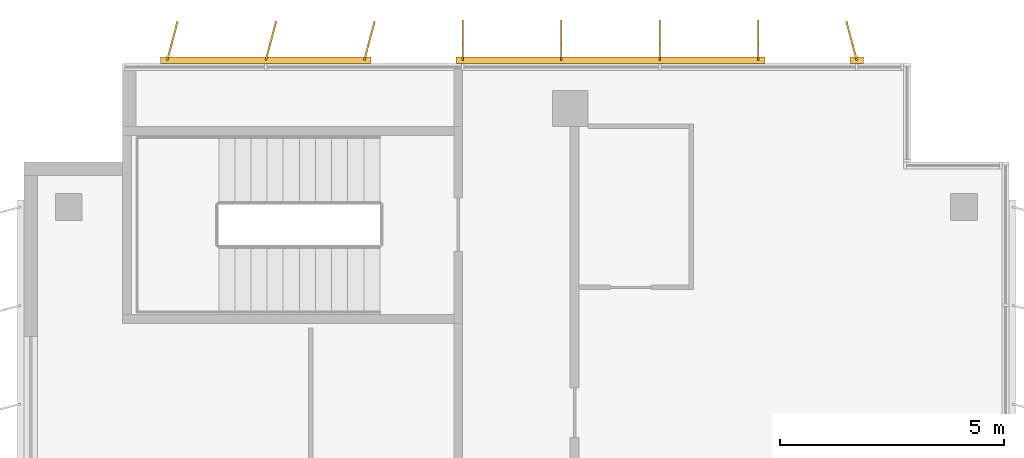
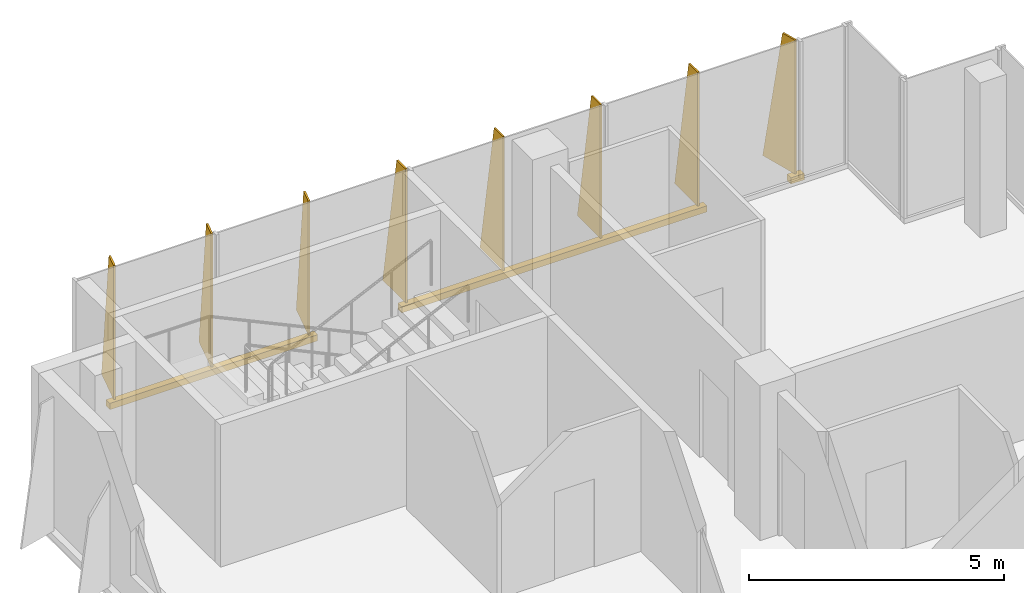
# One storey, part 15 of 15: 3 shading devices.
"""IFC4 building model written with IfcOpenShell, lengths in metres."""

import ifcopenshell
import ifcopenshell.guid

model = None  # the IFC model being written
_history = None  # IfcOwnerHistory: only IFC2X3 demands one
_inside = {}  # id of a spatial element -> (the spatial element, [elements in it])
_under = {}  # id of a project, library or spatial element -> (it, [spatial elements below it])
_declared = {}  # id of a project -> (the project, [libraries it declares])
_typed = {}  # id of a type object -> (the type object, [elements of that type])
_made_of = {}  # id of a material, layer set ... -> (it, [elements and type objects made of it])


def new_model(schema):
    """Start an empty IFC model of exactly this schema.

    Asked for "IFC4X3", IfcOpenShell would pick the latest addendum, in which some entities
    have other attributes; the version numbers below select the first issue.
    IFC2X3 requires an IfcOwnerHistory on every rooted entity: one is made here for all.
    """
    global model, _history
    if schema == "IFC4X3":
        model = ifcopenshell.file(schema_version=(4, 3, 0, 0))
    else:
        model = ifcopenshell.file(schema=schema)
    _inside.clear()
    _under.clear()
    _declared.clear()
    _typed.clear()
    _made_of.clear()
    _history = None
    if model.schema == "IFC2X3":
        org = make("IfcOrganization", Name="unknown")
        user = make(
            "IfcPersonAndOrganization",
            ThePerson=make("IfcPerson", FamilyName="unknown"),
            TheOrganization=org,
        )
        app = make(
            "IfcApplication",
            ApplicationDeveloper=org,
            Version="unknown",
            ApplicationFullName="unknown",
            ApplicationIdentifier="unknown",
        )
        _history = make(
            "IfcOwnerHistory",
            OwningUser=user,
            OwningApplication=app,
            ChangeAction="ADDED",
            CreationDate=0,
        )
    return model


def make(cls, **values):
    """One entity of the class cls with the attributes given. An attribute that is None is left unset."""
    return model.create_entity(
        cls, **{name: value for name, value in values.items() if value is not None}
    )


def rooted(cls, **values):
    """An entity with a GlobalId (a new one), such as an element, a storey or a relation."""
    return make(cls, GlobalId=ifcopenshell.guid.new(), OwnerHistory=_history, **values)


def si_unit(unit_type, name, prefix=None):
    """IfcSIUnit, for example si_unit("LENGTHUNIT", "METRE", prefix="MILLI")."""
    return make("IfcSIUnit", UnitType=unit_type, Prefix=prefix, Name=name)


def assignment(units):
    """IfcUnitAssignment: the units of a project."""
    return None if units is None else make("IfcUnitAssignment", Units=units)


def point(xyz):
    """IfcCartesianPoint."""
    return None if xyz is None else make("IfcCartesianPoint", Coordinates=xyz)


def direction(xyz):
    """IfcDirection."""
    return None if xyz is None else make("IfcDirection", DirectionRatios=xyz)


def frame(location, z_axis=None, x_axis=None):
    """IfcAxis2Placement3D, a coordinate frame: its origin and axes. An axis left out is left unset."""
    return make(
        "IfcAxis2Placement3D",
        Location=point(location),
        Axis=direction(z_axis),
        RefDirection=direction(x_axis),
    )


def frame_2d(location, x_axis=None):
    """IfcAxis2Placement2D, a coordinate frame in the plane: its origin and x axis."""
    return make(
        "IfcAxis2Placement2D", Location=point(location), RefDirection=direction(x_axis)
    )


def origin():
    """The frame at (0, 0, 0) with its axes left unset."""
    return frame((0.0, 0.0, 0.0))


def origin_2d():
    """The frame at (0, 0) in the plane with its x axis left unset."""
    return frame_2d((0.0, 0.0))


def place(relative_to, where):
    """IfcLocalPlacement: puts the frame where relative to a parent placement (None: the world)."""
    return make(
        "IfcLocalPlacement", PlacementRelTo=relative_to, RelativePlacement=where
    )


def context(
    kind, dimensions, precision=None, world=None, true_north=None, identifier=None
):
    """IfcGeometricRepresentationContext, for example the 3D "Model" context."""
    return make(
        "IfcGeometricRepresentationContext",
        ContextIdentifier=identifier,
        ContextType=kind,
        CoordinateSpaceDimension=dimensions,
        Precision=precision,
        WorldCoordinateSystem=world,
        TrueNorth=true_north,
    )


def subcontext(parent, identifier, kind, view, scale=None):
    """IfcGeometricRepresentationSubContext, for example "Body" below "Model"."""
    return make(
        "IfcGeometricRepresentationSubContext",
        ContextIdentifier=identifier,
        ContextType=kind,
        ParentContext=parent,
        TargetScale=scale,
        TargetView=view,
    )


def project(units=None, contexts=None):
    """IfcProject with its units and contexts."""
    return rooted(
        "IfcProject",
        Name="project",
        RepresentationContexts=contexts,
        UnitsInContext=assignment(units),
    )


def spatial(cls, under=None, at=None, **own):
    """A site, building, storey or space (cls), placed at a placement, below another one or the project."""
    s = rooted(cls, ObjectPlacement=at, **own)
    if under is not None:
        _under.setdefault(under.id(), (under, []))[1].append(s)
    return s


def polyline(points):
    """IfcPolyline through the points."""
    return make("IfcPolyline", Points=[point(p) for p in points])


def profile(cls, at=None, kind="AREA", **sizes):
    """A parametric profile (cls). Its sizes go by their IFC names, for example OverallWidth=200.0."""
    return make(cls, ProfileType=kind, Position=at, **sizes)


def rectangle(**sizes):
    """IfcRectangleProfileDef."""
    return profile("IfcRectangleProfileDef", **sizes)


def outline(outer, holes=None, kind="AREA"):
    """IfcArbitraryClosedProfileDef: a profile drawn as a closed curve; with holes, ...WithVoids."""
    if holes is None:
        return make("IfcArbitraryClosedProfileDef", ProfileType=kind, OuterCurve=outer)
    return make(
        "IfcArbitraryProfileDefWithVoids",
        ProfileType=kind,
        OuterCurve=outer,
        InnerCurves=holes,
    )


def extrude(swept, where, along, depth):
    """IfcExtrudedAreaSolid: the profile swept, set in the frame where, extruded along a direction by depth."""
    return make(
        "IfcExtrudedAreaSolid",
        SweptArea=swept,
        Position=where,
        ExtrudedDirection=direction(along),
        Depth=depth,
    )


def shape(context_of_items, identifier, shape_type, items):
    """IfcShapeRepresentation: the items that make up one representation, for example the "Body"."""
    return make(
        "IfcShapeRepresentation",
        ContextOfItems=context_of_items,
        RepresentationIdentifier=identifier,
        RepresentationType=shape_type,
        Items=items,
    )


def source(mapping_origin, context_of_items, identifier, shape_type, items):
    """IfcRepresentationMap: a shape defined once, which mapped items show again and again."""
    return make(
        "IfcRepresentationMap",
        MappingOrigin=mapping_origin,
        MappedRepresentation=shape(context_of_items, identifier, shape_type, items),
    )


def transform(
    local_origin,
    x_axis=None,
    y_axis=None,
    z_axis=None,
    scale=None,
    scale2=None,
    scale3=None,
    uniform=True,
):
    """IfcCartesianTransformationOperator3D, or its non-uniform kind. x_axis, y_axis, z_axis: its Axis1, 2, 3."""
    if uniform:
        return make(
            "IfcCartesianTransformationOperator3D",
            Axis1=direction(x_axis),
            Axis2=direction(y_axis),
            LocalOrigin=point(local_origin),
            Scale=scale,
            Axis3=direction(z_axis),
        )
    return make(
        "IfcCartesianTransformationOperator3DnonUniform",
        Axis1=direction(x_axis),
        Axis2=direction(y_axis),
        LocalOrigin=point(local_origin),
        Scale=scale,
        Axis3=direction(z_axis),
        Scale2=scale2,
        Scale3=scale3,
    )


def mapped(mapping_source, mapping_target):
    """IfcMappedItem: shows the shape of a source again, moved by a transform."""
    return make(
        "IfcMappedItem", MappingSource=mapping_source, MappingTarget=mapping_target
    )


def material(Name=None, Category=None):
    """IfcMaterial."""
    return make("IfcMaterial", Name=Name, Category=Category)


def layer(
    of_material, thickness, ventilated=None, Name=None, Category=None, Priority=None
):
    """IfcMaterialLayer: one layer of a wall or slab, of a material (None: an air gap)."""
    return make(
        "IfcMaterialLayer",
        Material=of_material,
        LayerThickness=thickness,
        IsVentilated=ventilated,
        Name=Name,
        Category=Category,
        Priority=Priority,
    )


def layer_set(layers, Name=None):
    """IfcMaterialLayerSet."""
    return make("IfcMaterialLayerSet", MaterialLayers=layers, LayerSetName=Name)


def made_of(thing, what):
    """Note that an element or type object is made of a material, layer set ...; save() writes the relation."""
    if what is not None:
        _made_of.setdefault(what.id(), (what, []))[1].append(thing)
    return thing


def type_object(cls, material=None, **own):
    """A type object (cls), such as IfcWallType, which elements share."""
    return made_of(rooted(cls, **own), material)


def element(
    cls,
    number,
    at=None,
    inside=None,
    cuts=None,
    type_object=None,
    material=None,
    context=None,
    identifier="Body",
    shape_type=None,
    held_by="IfcProductDefinitionShape",
    body=None,
    shapes=None,
    **own,
):
    """One element of the class cls, such as IfcWall. Its Tag is "e" and its number.

    at: its placement. inside: the storey or other place that contains it. cuts: it is an
    opening in that element (IfcRelVoidsElement). A single representation is given by context,
    identifier, shape_type and body (its items); several are given by shapes. held_by: the class
    of the entity that holds the representations. save() writes the other relations.
    """
    e = rooted(cls, Tag="e%d" % number, ObjectPlacement=at, **own)
    if body is not None:
        shapes = [shape(context, identifier, shape_type, body)]
    if shapes is not None:
        e.Representation = make(held_by, Representations=shapes)
    if inside is not None:
        _inside.setdefault(inside.id(), (inside, []))[1].append(e)
    if cuts is not None:
        rooted(
            "IfcRelVoidsElement", RelatingBuildingElement=cuts, RelatedOpeningElement=e
        )
    if type_object is not None:
        _typed.setdefault(type_object.id(), (type_object, []))[1].append(e)
    return made_of(e, material)


def aggregate(whole, parts):
    """IfcRelAggregates: a whole, such as a stair, and the parts it consists of."""
    return rooted("IfcRelAggregates", RelatingObject=whole, RelatedObjects=parts)


def save(model, path):
    """Write the relations noted so far, then the file.

    IfcRelAggregates (storeys below a building ...), IfcRelContainedInSpatialStructure (elements
    in a storey), IfcRelDefinesByType, IfcRelAssociatesMaterial and IfcRelDeclares: one each for
    every whole, place, type object, material and project.
    """
    for whole, parts in _under.values():
        aggregate(whole, parts)
    for where, things in _inside.values():
        rooted(
            "IfcRelContainedInSpatialStructure",
            RelatedElements=things,
            RelatingStructure=where,
        )
    for kind, things in _typed.values():
        rooted("IfcRelDefinesByType", RelatedObjects=things, RelatingType=kind)
    for what, things in _made_of.values():
        rooted("IfcRelAssociatesMaterial", RelatedObjects=things, RelatingMaterial=what)
    for by, libraries in _declared.values():
        rooted("IfcRelDeclares", RelatingContext=by, RelatedDefinitions=libraries)
    model.write(path)


model = new_model("IFC4")

# Units and contexts
model_context = context("Model", 3, precision=1e-05, world=origin(), true_north=direction((0.0, 1.0)))
body_context = subcontext(model_context, "Body", "Model", "MODEL_VIEW")
ifc_project = project(units=[si_unit("LENGTHUNIT", "METRE"), si_unit("AREAUNIT", "SQUARE_METRE"), si_unit("VOLUMEUNIT", "CUBIC_METRE"), si_unit("PLANEANGLEUNIT", "RADIAN"), si_unit("MASSUNIT", "GRAM", prefix="KILO")], contexts=[model_context])

# Site, building, storey
site_placement = place(None, origin())
site = spatial("IfcSite", under=ifc_project, at=site_placement, CompositionType="ELEMENT")
building_placement = place(site_placement, origin())
building = spatial("IfcBuilding", under=site, at=building_placement, Name="Kemantara Hotel Tower", CompositionType="ELEMENT")
storey_placement = place(building_placement, frame((0.0, 0.0, 237.60009765625)))
storey = spatial("IfcBuildingStorey", under=building, at=storey_placement, Name="L59", CompositionType="ELEMENT", Elevation=237.60009765625)

# Shading devices
ifc_material = material(Name="Perforated aluminium plate 4 mm bronze anodised", Category="aluminium")
ifc_layer_1 = layer(ifc_material, 0.0400390625)
ifc_layer_set_1 = layer_set([ifc_layer_1], Name="Perforated aluminium plate 4 mm bronze anodised")
shading_device_type_1 = type_object("IfcShadingDeviceType", Name="SCREEN FIN CASSETTE, 3 BLADES AT -15.0 DEG, 3200 HIGH", PredefinedType="USERDEFINED", material=ifc_layer_set_1)
shared_shape_1 = source(origin(), body_context, "Body", "SweptSolid", [
    extrude(rectangle(XDim=4.699951171875, YDim=0.14990234375, at=origin_2d()), frame((2.199951171875, -0.074951171875, -0.14990234375), z_axis=(0.0, 0.0, 1.0), x_axis=(1.0, 0.0, 0.0)), (0.0, 0.0, 1.0), 0.14990234375),
    extrude(outline(polyline([(0.0, 0.0), (0.89990234375, 0.0), (0.35009765625, 3.199951171875), (0.0, 3.199951171875), (0.0, 0.0)])), frame((0.019287109375, -0.080078125, 0.0), z_axis=(-0.966437683387, 0.256901156343, 0.0), x_axis=(-0.256901156343, -0.966437683387, 0.0)), (0.0, 0.0, 1.0), 0.039794921875),
    extrude(outline(polyline([(0.0, 0.0), (0.89990234375, 0.0), (0.35009765625, 3.199951171875), (0.0, 3.199951171875), (0.0, 0.0)])), frame((2.21923828125, -0.080078125, 0.0), z_axis=(-0.966437683387, 0.256901156343, 0.0), x_axis=(-0.256901156343, -0.966437683387, 0.0)), (0.0, 0.0, 1.0), 0.039794921875),
    extrude(outline(polyline([(0.0, 0.0), (0.89990234375, 0.0), (0.35009765625, 3.199951171875), (0.0, 3.199951171875), (0.0, 0.0)])), frame((4.41943359375, -0.080078125, 0.0), z_axis=(-0.966837822169, 0.255391122837, 0.0), x_axis=(-0.255391122837, -0.966837822169, 0.0)), (0.0, 0.0, 1.0), 0.0400390625),
])
shading_device_1_placement = place(storey_placement, frame((7.60009765625, 63.60009765625, 0.099853515625), z_axis=(0.0, 0.0, 1.0), x_axis=(-1.0, 0.0, 0.0)))
element("IfcShadingDevice", 1, at=shading_device_1_placement, inside=storey, type_object=shading_device_type_1, Name="SCREEN FIN CASSETTE L59 T4-R02-3", ObjectType="SCREEN FIN", PredefinedType="USERDEFINED", context=body_context, shape_type="MappedRepresentation", body=[
    mapped(shared_shape_1, transform((0.0, 0.0, 0.0))),
])
ifc_layer_2 = layer(ifc_material, 0.0400390625)
ifc_layer_set_2 = layer_set([ifc_layer_2], Name="Perforated aluminium plate 4 mm bronze anodised")
shading_device_type_2 = type_object("IfcShadingDeviceType", Name="SCREEN FIN CASSETTE, 4 BLADES AT +0.0 DEG, 3200 HIGH", PredefinedType="USERDEFINED", material=ifc_layer_set_2)
shared_shape_2 = source(origin(), body_context, "Body", "SweptSolid", [
    extrude(rectangle(XDim=6.89990234375, YDim=0.14990234375, at=origin_2d()), frame((3.300048828125, -0.074951171875, -0.14990234375), z_axis=(0.0, 0.0, 1.0), x_axis=(1.0, 0.0, 0.0)), (0.0, 0.0, 1.0), 0.14990234375),
    extrude(outline(polyline([(0.0, 0.0), (0.89990234375, 0.0), (0.35009765625, 3.199951171875), (0.0, 3.199951171875), (0.0, 0.0)])), frame((0.02001953125, -0.074951171875, 0.0), z_axis=(-1.0, 0.0, 0.0), x_axis=(0.0, -1.0, 0.0)), (0.0, 0.0, 1.0), 0.0400390625),
    extrude(outline(polyline([(0.0, 0.0), (0.89990234375, 0.0), (0.35009765625, 3.199951171875), (0.0, 3.199951171875), (0.0, 0.0)])), frame((2.219970703125, -0.074951171875, 0.0), z_axis=(-1.0, 0.0, 0.0), x_axis=(0.0, -1.0, 0.0)), (0.0, 0.0, 1.0), 0.0400390625),
    extrude(outline(polyline([(0.0, 0.0), (0.89990234375, 0.0), (0.35009765625, 3.199951171875), (0.0, 3.199951171875), (0.0, 0.0)])), frame((4.419921875, -0.074951171875, 0.0), z_axis=(-1.0, 0.0, 0.0), x_axis=(0.0, -1.0, 0.0)), (0.0, 0.0, 1.0), 0.0400390625),
    extrude(outline(polyline([(0.0, 0.0), (0.89990234375, 0.0), (0.35009765625, 3.199951171875), (0.0, 3.199951171875), (0.0, 0.0)])), frame((6.6201171875, -0.074951171875, 0.0), z_axis=(-1.0, 0.0, 0.0), x_axis=(0.0, -1.0, 0.0)), (0.0, 0.0, 1.0), 0.0400390625),
])
shading_device_2_placement = place(storey_placement, frame((16.39990234375, 63.60009765625, 0.099853515625), z_axis=(0.0, 0.0, 1.0), x_axis=(-1.0, 0.0, 0.0)))
element("IfcShadingDevice", 2, at=shading_device_2_placement, inside=storey, type_object=shading_device_type_2, Name="SCREEN FIN CASSETTE L59 T4-R02-2", ObjectType="SCREEN FIN", PredefinedType="USERDEFINED", context=body_context, shape_type="MappedRepresentation", body=[
    mapped(shared_shape_2, transform((0.0, 0.0, 0.0))),
])
ifc_layer_3 = layer(ifc_material, 0.0400390625)
ifc_layer_set_3 = layer_set([ifc_layer_3], Name="Perforated aluminium plate 4 mm bronze anodised")
shading_device_type_3 = type_object("IfcShadingDeviceType", Name="SCREEN FIN CASSETTE, 1 BLADE AT +15.0 DEG, 3200 HIGH", PredefinedType="USERDEFINED", material=ifc_layer_set_3)
shared_shape_3 = source(origin(), body_context, "Body", "SweptSolid", [
    extrude(rectangle(XDim=0.300048828125, YDim=0.14990234375, at=origin_2d()), frame((0.0, -0.074951171875, -0.14990234375), z_axis=(0.0, 0.0, 1.0), x_axis=(1.0, 0.0, 0.0)), (0.0, 0.0, 1.0), 0.14990234375),
    extrude(outline(polyline([(0.0, 0.0), (0.89990234375, 0.0), (0.35009765625, 3.199951171875), (0.0, 3.199951171875), (0.0, 0.0)])), frame((0.019287109375, -0.06982421875, 0.0), z_axis=(-0.966437683387, -0.256901156343, 0.0), x_axis=(0.256901156343, -0.966437683387, 0.0)), (0.0, 0.0, 1.0), 0.039794921875),
])
shading_device_3_placement = place(storey_placement, frame((18.60009765625, 63.60009765625, 0.099853515625), z_axis=(0.0, 0.0, 1.0), x_axis=(-1.0, 0.0, 0.0)))
element("IfcShadingDevice", 3, at=shading_device_3_placement, inside=storey, type_object=shading_device_type_3, Name="SCREEN FIN CASSETTE L59 T4-R02-1", ObjectType="SCREEN FIN", PredefinedType="USERDEFINED", context=body_context, shape_type="MappedRepresentation", body=[
    mapped(shared_shape_3, transform((0.0, 0.0, 0.0))),
])

save(model, "model.ifc")
